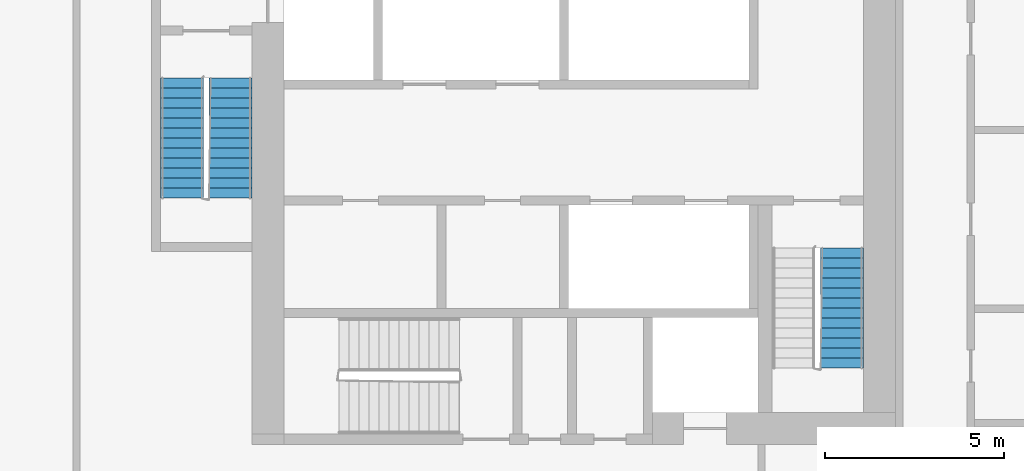
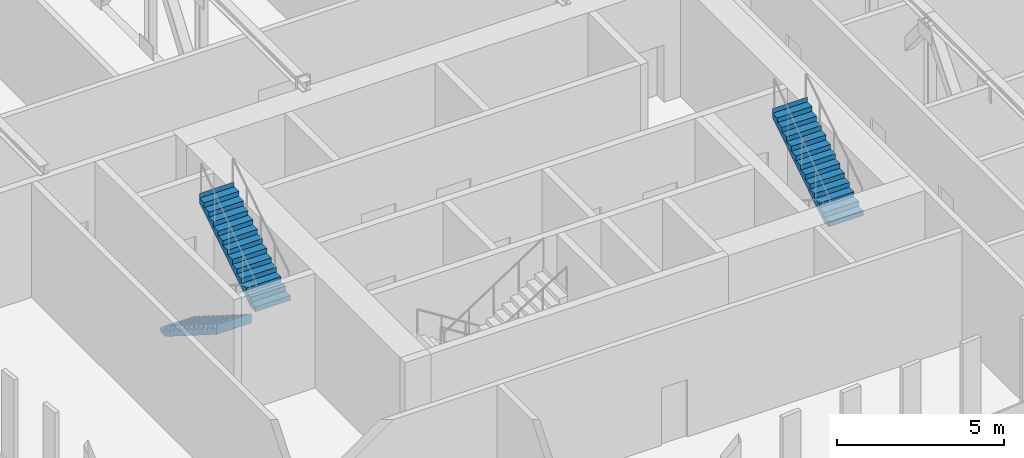
# One storey, part 22 of 26: 3 stair flights, 2 elements without a shape of their own.
"""IFC4 building model written with IfcOpenShell, lengths in metres."""

from ifc_helpers import new_model, si_unit, direction, frame, origin, place, context, subcontext, project, spatial, faceted_brep, material, type_object, element, aggregate, save


model = new_model("IFC4")

# Units and contexts
model_context = context("Model", 3, precision=1e-05, world=origin(), true_north=direction((0.0, 1.0)))
body_context = subcontext(model_context, "Body", "Model", "MODEL_VIEW")
ifc_project = project(units=[si_unit("LENGTHUNIT", "METRE"), si_unit("AREAUNIT", "SQUARE_METRE"), si_unit("VOLUMEUNIT", "CUBIC_METRE"), si_unit("PLANEANGLEUNIT", "RADIAN"), si_unit("MASSUNIT", "GRAM", prefix="KILO")], contexts=[model_context])

# Site, building, storey
site_placement = place(None, origin())
site = spatial("IfcSite", under=ifc_project, at=site_placement, CompositionType="ELEMENT")
building_placement = place(site_placement, origin())
building = spatial("IfcBuilding", under=site, at=building_placement, Name="Kajstack Hotel Tower", CompositionType="ELEMENT")
storey_placement = place(building_placement, frame((0.0, 0.0, 206.5)))
storey = spatial("IfcBuildingStorey", under=building, at=storey_placement, Name="L50", CompositionType="ELEMENT", Elevation=206.5)

# Stair, stair flights
ifc_material = material(Name="Concrete C40/50", Category="concrete")
stair_type = type_object("IfcStairType", Name="Exit stair 1200", PredefinedType="HALF_TURN_STAIR", material=ifc_material)
stair_1_placement = place(storey_placement, origin())
stair_1 = element("IfcStair", 1, at=stair_1_placement, inside=storey, type_object=stair_type, Name="L50 stair W1", PredefinedType="HALF_TURN_STAIR")
stair_flight_type = type_object("IfcStairFlightType", Name="Exit stair flight 1200", PredefinedType="STRAIGHT", material=ifc_material)
stair_flight_1_placement = place(storey_placement, frame((-33.449951171875, -5.25, 0.0), z_axis=(0.0, 0.0, 1.0), x_axis=(0.0, -1.0, 0.0)))
stair_flight_1 = element("IfcStairFlight", 2, at=stair_flight_1_placement, type_object=stair_flight_type, Name="W1 flight 1", NumberOfRisers=13, NumberOfTreads=12, PredefinedType="STRAIGHT", RiserHeight=0.176923077, TreadLength=0.28, context=body_context, shape_type="Brep", body=[
    faceted_brep([(0.281005859375, -0.60009765625, 0.0), (3.360595703125, -0.60009765625, 1.94580078125), (3.360595703125, -0.60009765625, 2.300048828125), (3.360107421875, -0.60009765625, 2.300048828125), (3.360107421875, -0.60009765625, 2.123046875), (3.080078125, -0.60009765625, 2.123046875), (3.080078125, -0.60009765625, 1.946044921875), (2.800048828125, -0.60009765625, 1.946044921875), (2.800048828125, -0.60009765625, 1.769287109375), (2.52001953125, -0.60009765625, 1.769287109375), (2.52001953125, -0.60009765625, 1.59228515625), (2.239990234375, -0.60009765625, 1.59228515625), (2.239990234375, -0.60009765625, 1.415283203125), (1.9599609375, -0.60009765625, 1.415283203125), (1.9599609375, -0.60009765625, 1.238525390625), (1.679931640625, -0.60009765625, 1.238525390625), (1.679931640625, -0.60009765625, 1.0615234375), (1.39990234375, -0.60009765625, 1.0615234375), (1.39990234375, -0.60009765625, 0.884521484375), (1.1201171875, -0.60009765625, 0.884521484375), (1.1201171875, -0.60009765625, 0.707763671875), (0.840087890625, -0.60009765625, 0.707763671875), (0.840087890625, -0.60009765625, 0.53076171875), (0.56005859375, -0.60009765625, 0.53076171875), (0.56005859375, -0.60009765625, 0.353759765625), (0.280029296875, -0.60009765625, 0.353759765625), (0.280029296875, -0.60009765625, 0.177001953125), (-0.00048828125, -0.60009765625, 0.177001953125), (-0.00048828125, -0.60009765625, 0.0), (-0.00048828125, 0.60009765625, 0.0), (-0.00048828125, 0.60009765625, 0.177001953125), (0.280029296875, 0.60009765625, 0.177001953125), (0.280029296875, 0.60009765625, 0.353759765625), (0.56005859375, 0.60009765625, 0.353759765625), (0.56005859375, 0.60009765625, 0.53076171875), (0.840087890625, 0.60009765625, 0.53076171875), (0.840087890625, 0.60009765625, 0.707763671875), (1.1201171875, 0.60009765625, 0.707763671875), (1.1201171875, 0.60009765625, 0.884521484375), (1.39990234375, 0.60009765625, 0.884521484375), (1.39990234375, 0.60009765625, 1.0615234375), (1.679931640625, 0.60009765625, 1.0615234375), (1.679931640625, 0.60009765625, 1.238525390625), (1.9599609375, 0.60009765625, 1.238525390625), (1.9599609375, 0.60009765625, 1.415283203125), (2.239990234375, 0.60009765625, 1.415283203125), (2.239990234375, 0.60009765625, 1.59228515625), (2.52001953125, 0.60009765625, 1.59228515625), (2.52001953125, 0.60009765625, 1.769287109375), (2.800048828125, 0.60009765625, 1.769287109375), (2.800048828125, 0.60009765625, 1.946044921875), (3.080078125, 0.60009765625, 1.946044921875), (3.080078125, 0.60009765625, 2.123046875), (3.360107421875, 0.60009765625, 2.123046875), (3.360107421875, 0.60009765625, 2.300048828125), (3.360595703125, 0.60009765625, 2.300048828125), (3.360595703125, 0.60009765625, 1.94580078125), (0.281005859375, 0.60009765625, 0.0), (-0.00048828125, -0.300048828125, 0.177001953125), (-0.00048828125, 0.0, 0.177001953125), (-0.00048828125, 0.300048828125, 0.177001953125), (-0.00048828125, 0.300048828125, 0.0), (-0.00048828125, 0.0, 0.0), (-0.00048828125, -0.300048828125, 0.0), (0.280029296875, -0.300048828125, 0.177001953125), (0.280029296875, 0.0, 0.177001953125), (0.280029296875, 0.300048828125, 0.177001953125), (0.280029296875, -0.300048828125, 0.353759765625), (0.280029296875, 0.0, 0.353759765625), (0.280029296875, 0.300048828125, 0.353759765625), (0.56005859375, -0.300048828125, 0.353759765625), (0.56005859375, 0.0, 0.353759765625), (0.56005859375, 0.300048828125, 0.353759765625), (0.56005859375, -0.300048828125, 0.53076171875), (0.56005859375, 0.0, 0.53076171875), (0.56005859375, 0.300048828125, 0.53076171875), (0.840087890625, -0.300048828125, 0.53076171875), (0.840087890625, 0.0, 0.53076171875), (0.840087890625, 0.300048828125, 0.53076171875), (0.840087890625, -0.300048828125, 0.707763671875), (0.840087890625, 0.0, 0.707763671875), (0.840087890625, 0.300048828125, 0.707763671875), (1.1201171875, -0.300048828125, 0.707763671875), (1.1201171875, 0.0, 0.707763671875), (1.1201171875, 0.300048828125, 0.707763671875), (1.1201171875, -0.300048828125, 0.884521484375), (1.1201171875, 0.0, 0.884521484375), (1.1201171875, 0.300048828125, 0.884521484375), (1.39990234375, -0.300048828125, 0.884521484375), (1.39990234375, 0.0, 0.884521484375), (1.39990234375, 0.300048828125, 0.884521484375), (1.39990234375, -0.300048828125, 1.0615234375), (1.39990234375, 0.0, 1.0615234375), (1.39990234375, 0.300048828125, 1.0615234375), (1.679931640625, -0.300048828125, 1.0615234375), (1.679931640625, 0.0, 1.0615234375), (1.679931640625, 0.300048828125, 1.0615234375), (1.679931640625, -0.300048828125, 1.238525390625), (1.679931640625, 0.0, 1.238525390625), (1.679931640625, 0.300048828125, 1.238525390625), (1.9599609375, -0.300048828125, 1.238525390625), (1.9599609375, 0.0, 1.238525390625), (1.9599609375, 0.300048828125, 1.238525390625), (1.9599609375, -0.300048828125, 1.415283203125), (1.9599609375, 0.0, 1.415283203125), (1.9599609375, 0.300048828125, 1.415283203125), (2.239990234375, -0.300048828125, 1.415283203125), (2.239990234375, 0.0, 1.415283203125), (2.239990234375, 0.300048828125, 1.415283203125), (2.239990234375, -0.300048828125, 1.59228515625), (2.239990234375, 0.0, 1.59228515625), (2.239990234375, 0.300048828125, 1.59228515625), (2.52001953125, -0.300048828125, 1.59228515625), (2.52001953125, 0.0, 1.59228515625), (2.52001953125, 0.300048828125, 1.59228515625), (2.52001953125, -0.300048828125, 1.769287109375), (2.52001953125, 0.0, 1.769287109375), (2.52001953125, 0.300048828125, 1.769287109375), (2.800048828125, -0.300048828125, 1.769287109375), (2.800048828125, 0.0, 1.769287109375), (2.800048828125, 0.300048828125, 1.769287109375), (2.800048828125, -0.300048828125, 1.946044921875), (2.800048828125, 0.0, 1.946044921875), (2.800048828125, 0.300048828125, 1.946044921875), (3.080078125, -0.300048828125, 1.946044921875), (3.080078125, 0.0, 1.946044921875), (3.080078125, 0.300048828125, 1.946044921875), (3.080078125, -0.300048828125, 2.123046875), (3.080078125, 0.0, 2.123046875), (3.080078125, 0.300048828125, 2.123046875), (3.360107421875, -0.300048828125, 2.123046875), (3.360107421875, 0.0, 2.123046875), (3.360107421875, 0.300048828125, 2.123046875), (3.360107421875, -0.300048828125, 2.300048828125), (3.360107421875, 0.0, 2.300048828125), (3.360107421875, 0.300048828125, 2.300048828125), (3.360595703125, -0.300048828125, 2.300048828125), (3.360595703125, 0.0, 2.300048828125), (3.360595703125, 0.300048828125, 2.300048828125), (3.360595703125, -0.300048828125, 1.94580078125), (3.360595703125, 0.0, 1.94580078125), (3.360595703125, 0.300048828125, 1.94580078125), (0.281005859375, -0.300048828125, 0.0), (0.281005859375, 0.0, 0.0), (0.281005859375, 0.300048828125, 0.0)], [[[0, 1, 2, 3, 4, 5, 6, 7, 8, 9, 10, 11, 12, 13, 14, 15, 16, 17, 18, 19, 20, 21, 22, 23, 24, 25, 26, 27, 28]], [[29, 30, 31, 32, 33, 34, 35, 36, 37, 38, 39, 40, 41, 42, 43, 44, 45, 46, 47, 48, 49, 50, 51, 52, 53, 54, 55, 56, 57]], [[27, 58, 59, 60, 30, 29, 61, 62, 63, 28]], [[26, 64, 65, 66, 31, 30, 60, 59, 58, 27]], [[25, 67, 68, 69, 32, 31, 66, 65, 64, 26]], [[24, 70, 71, 72, 33, 32, 69, 68, 67, 25]], [[23, 73, 74, 75, 34, 33, 72, 71, 70, 24]], [[22, 76, 77, 78, 35, 34, 75, 74, 73, 23]], [[21, 79, 80, 81, 36, 35, 78, 77, 76, 22]], [[20, 82, 83, 84, 37, 36, 81, 80, 79, 21]], [[19, 85, 86, 87, 38, 37, 84, 83, 82, 20]], [[18, 88, 89, 90, 39, 38, 87, 86, 85, 19]], [[17, 91, 92, 93, 40, 39, 90, 89, 88, 18]], [[16, 94, 95, 96, 41, 40, 93, 92, 91, 17]], [[15, 97, 98, 99, 42, 41, 96, 95, 94, 16]], [[14, 100, 101, 102, 43, 42, 99, 98, 97, 15]], [[13, 103, 104, 105, 44, 43, 102, 101, 100, 14]], [[12, 106, 107, 108, 45, 44, 105, 104, 103, 13]], [[11, 109, 110, 111, 46, 45, 108, 107, 106, 12]], [[10, 112, 113, 114, 47, 46, 111, 110, 109, 11]], [[9, 115, 116, 117, 48, 47, 114, 113, 112, 10]], [[8, 118, 119, 120, 49, 48, 117, 116, 115, 9]], [[7, 121, 122, 123, 50, 49, 120, 119, 118, 8]], [[6, 124, 125, 126, 51, 50, 123, 122, 121, 7]], [[5, 127, 128, 129, 52, 51, 126, 125, 124, 6]], [[4, 130, 131, 132, 53, 52, 129, 128, 127, 5]], [[3, 133, 134, 135, 54, 53, 132, 131, 130, 4]], [[2, 136, 137, 138, 55, 54, 135, 134, 133, 3]], [[1, 139, 140, 141, 56, 55, 138, 137, 136, 2]], [[0, 142, 143, 144, 57, 56, 141, 140, 139, 1]], [[28, 63, 62, 61, 29, 57, 144, 143, 142, 0]]]),
])
stair_flight_2_placement = place(storey_placement, frame((-32.10009765625, -8.610107421875, 2.300048828125), z_axis=(0.0, 0.0, 1.0), x_axis=(0.0, 1.0, 0.0)))
stair_flight_2 = element("IfcStairFlight", 3, at=stair_flight_2_placement, type_object=stair_flight_type, Name="W1 flight 2", NumberOfRisers=13, NumberOfTreads=12, PredefinedType="STRAIGHT", RiserHeight=0.176923077, TreadLength=0.28, context=body_context, shape_type="Brep", body=[
    faceted_brep([(0.281005859375, -0.60009765625, 0.0), (3.360595703125, -0.60009765625, 1.94580078125), (3.360595703125, -0.60009765625, 2.300048828125), (3.360107421875, -0.60009765625, 2.300048828125), (3.360107421875, -0.60009765625, 2.123046875), (3.080078125, -0.60009765625, 2.123046875), (3.080078125, -0.60009765625, 1.946044921875), (2.800048828125, -0.60009765625, 1.946044921875), (2.800048828125, -0.60009765625, 1.769287109375), (2.52001953125, -0.60009765625, 1.769287109375), (2.52001953125, -0.60009765625, 1.59228515625), (2.239990234375, -0.60009765625, 1.59228515625), (2.239990234375, -0.60009765625, 1.415283203125), (1.9599609375, -0.60009765625, 1.415283203125), (1.9599609375, -0.60009765625, 1.238525390625), (1.679931640625, -0.60009765625, 1.238525390625), (1.679931640625, -0.60009765625, 1.0615234375), (1.39990234375, -0.60009765625, 1.0615234375), (1.39990234375, -0.60009765625, 0.884521484375), (1.1201171875, -0.60009765625, 0.884521484375), (1.1201171875, -0.60009765625, 0.707763671875), (0.840087890625, -0.60009765625, 0.707763671875), (0.840087890625, -0.60009765625, 0.53076171875), (0.56005859375, -0.60009765625, 0.53076171875), (0.56005859375, -0.60009765625, 0.353759765625), (0.280029296875, -0.60009765625, 0.353759765625), (0.280029296875, -0.60009765625, 0.177001953125), (-0.00048828125, -0.60009765625, 0.177001953125), (-0.00048828125, -0.60009765625, 0.0), (-0.00048828125, 0.60009765625, 0.0), (-0.00048828125, 0.60009765625, 0.177001953125), (0.280029296875, 0.60009765625, 0.177001953125), (0.280029296875, 0.60009765625, 0.353759765625), (0.56005859375, 0.60009765625, 0.353759765625), (0.56005859375, 0.60009765625, 0.53076171875), (0.840087890625, 0.60009765625, 0.53076171875), (0.840087890625, 0.60009765625, 0.707763671875), (1.1201171875, 0.60009765625, 0.707763671875), (1.1201171875, 0.60009765625, 0.884521484375), (1.39990234375, 0.60009765625, 0.884521484375), (1.39990234375, 0.60009765625, 1.0615234375), (1.679931640625, 0.60009765625, 1.0615234375), (1.679931640625, 0.60009765625, 1.238525390625), (1.9599609375, 0.60009765625, 1.238525390625), (1.9599609375, 0.60009765625, 1.415283203125), (2.239990234375, 0.60009765625, 1.415283203125), (2.239990234375, 0.60009765625, 1.59228515625), (2.52001953125, 0.60009765625, 1.59228515625), (2.52001953125, 0.60009765625, 1.769287109375), (2.800048828125, 0.60009765625, 1.769287109375), (2.800048828125, 0.60009765625, 1.946044921875), (3.080078125, 0.60009765625, 1.946044921875), (3.080078125, 0.60009765625, 2.123046875), (3.360107421875, 0.60009765625, 2.123046875), (3.360107421875, 0.60009765625, 2.300048828125), (3.360595703125, 0.60009765625, 2.300048828125), (3.360595703125, 0.60009765625, 1.94580078125), (0.281005859375, 0.60009765625, 0.0), (-0.00048828125, -0.300048828125, 0.177001953125), (-0.00048828125, 0.0, 0.177001953125), (-0.00048828125, 0.300048828125, 0.177001953125), (-0.00048828125, 0.300048828125, 0.0), (-0.00048828125, 0.0, 0.0), (-0.00048828125, -0.300048828125, 0.0), (0.280029296875, -0.300048828125, 0.177001953125), (0.280029296875, 0.0, 0.177001953125), (0.280029296875, 0.300048828125, 0.177001953125), (0.280029296875, -0.300048828125, 0.353759765625), (0.280029296875, 0.0, 0.353759765625), (0.280029296875, 0.300048828125, 0.353759765625), (0.56005859375, -0.300048828125, 0.353759765625), (0.56005859375, 0.0, 0.353759765625), (0.56005859375, 0.300048828125, 0.353759765625), (0.56005859375, -0.300048828125, 0.53076171875), (0.56005859375, 0.0, 0.53076171875), (0.56005859375, 0.300048828125, 0.53076171875), (0.840087890625, -0.300048828125, 0.53076171875), (0.840087890625, 0.0, 0.53076171875), (0.840087890625, 0.300048828125, 0.53076171875), (0.840087890625, -0.300048828125, 0.707763671875), (0.840087890625, 0.0, 0.707763671875), (0.840087890625, 0.300048828125, 0.707763671875), (1.1201171875, -0.300048828125, 0.707763671875), (1.1201171875, 0.0, 0.707763671875), (1.1201171875, 0.300048828125, 0.707763671875), (1.1201171875, -0.300048828125, 0.884521484375), (1.1201171875, 0.0, 0.884521484375), (1.1201171875, 0.300048828125, 0.884521484375), (1.39990234375, -0.300048828125, 0.884521484375), (1.39990234375, 0.0, 0.884521484375), (1.39990234375, 0.300048828125, 0.884521484375), (1.39990234375, -0.300048828125, 1.0615234375), (1.39990234375, 0.0, 1.0615234375), (1.39990234375, 0.300048828125, 1.0615234375), (1.679931640625, -0.300048828125, 1.0615234375), (1.679931640625, 0.0, 1.0615234375), (1.679931640625, 0.300048828125, 1.0615234375), (1.679931640625, -0.300048828125, 1.238525390625), (1.679931640625, 0.0, 1.238525390625), (1.679931640625, 0.300048828125, 1.238525390625), (1.9599609375, -0.300048828125, 1.238525390625), (1.9599609375, 0.0, 1.238525390625), (1.9599609375, 0.300048828125, 1.238525390625), (1.9599609375, -0.300048828125, 1.415283203125), (1.9599609375, 0.0, 1.415283203125), (1.9599609375, 0.300048828125, 1.415283203125), (2.239990234375, -0.300048828125, 1.415283203125), (2.239990234375, 0.0, 1.415283203125), (2.239990234375, 0.300048828125, 1.415283203125), (2.239990234375, -0.300048828125, 1.59228515625), (2.239990234375, 0.0, 1.59228515625), (2.239990234375, 0.300048828125, 1.59228515625), (2.52001953125, -0.300048828125, 1.59228515625), (2.52001953125, 0.0, 1.59228515625), (2.52001953125, 0.300048828125, 1.59228515625), (2.52001953125, -0.300048828125, 1.769287109375), (2.52001953125, 0.0, 1.769287109375), (2.52001953125, 0.300048828125, 1.769287109375), (2.800048828125, -0.300048828125, 1.769287109375), (2.800048828125, 0.0, 1.769287109375), (2.800048828125, 0.300048828125, 1.769287109375), (2.800048828125, -0.300048828125, 1.946044921875), (2.800048828125, 0.0, 1.946044921875), (2.800048828125, 0.300048828125, 1.946044921875), (3.080078125, -0.300048828125, 1.946044921875), (3.080078125, 0.0, 1.946044921875), (3.080078125, 0.300048828125, 1.946044921875), (3.080078125, -0.300048828125, 2.123046875), (3.080078125, 0.0, 2.123046875), (3.080078125, 0.300048828125, 2.123046875), (3.360107421875, -0.300048828125, 2.123046875), (3.360107421875, 0.0, 2.123046875), (3.360107421875, 0.300048828125, 2.123046875), (3.360107421875, -0.300048828125, 2.300048828125), (3.360107421875, 0.0, 2.300048828125), (3.360107421875, 0.300048828125, 2.300048828125), (3.360595703125, -0.300048828125, 2.300048828125), (3.360595703125, 0.0, 2.300048828125), (3.360595703125, 0.300048828125, 2.300048828125), (3.360595703125, -0.300048828125, 1.94580078125), (3.360595703125, 0.0, 1.94580078125), (3.360595703125, 0.300048828125, 1.94580078125), (0.281005859375, -0.300048828125, 0.0), (0.281005859375, 0.0, 0.0), (0.281005859375, 0.300048828125, 0.0)], [[[0, 1, 2, 3, 4, 5, 6, 7, 8, 9, 10, 11, 12, 13, 14, 15, 16, 17, 18, 19, 20, 21, 22, 23, 24, 25, 26, 27, 28]], [[29, 30, 31, 32, 33, 34, 35, 36, 37, 38, 39, 40, 41, 42, 43, 44, 45, 46, 47, 48, 49, 50, 51, 52, 53, 54, 55, 56, 57]], [[27, 58, 59, 60, 30, 29, 61, 62, 63, 28]], [[26, 64, 65, 66, 31, 30, 60, 59, 58, 27]], [[25, 67, 68, 69, 32, 31, 66, 65, 64, 26]], [[24, 70, 71, 72, 33, 32, 69, 68, 67, 25]], [[23, 73, 74, 75, 34, 33, 72, 71, 70, 24]], [[22, 76, 77, 78, 35, 34, 75, 74, 73, 23]], [[21, 79, 80, 81, 36, 35, 78, 77, 76, 22]], [[20, 82, 83, 84, 37, 36, 81, 80, 79, 21]], [[19, 85, 86, 87, 38, 37, 84, 83, 82, 20]], [[18, 88, 89, 90, 39, 38, 87, 86, 85, 19]], [[17, 91, 92, 93, 40, 39, 90, 89, 88, 18]], [[16, 94, 95, 96, 41, 40, 93, 92, 91, 17]], [[15, 97, 98, 99, 42, 41, 96, 95, 94, 16]], [[14, 100, 101, 102, 43, 42, 99, 98, 97, 15]], [[13, 103, 104, 105, 44, 43, 102, 101, 100, 14]], [[12, 106, 107, 108, 45, 44, 105, 104, 103, 13]], [[11, 109, 110, 111, 46, 45, 108, 107, 106, 12]], [[10, 112, 113, 114, 47, 46, 111, 110, 109, 11]], [[9, 115, 116, 117, 48, 47, 114, 113, 112, 10]], [[8, 118, 119, 120, 49, 48, 117, 116, 115, 9]], [[7, 121, 122, 123, 50, 49, 120, 119, 118, 8]], [[6, 124, 125, 126, 51, 50, 123, 122, 121, 7]], [[5, 127, 128, 129, 52, 51, 126, 125, 124, 6]], [[4, 130, 131, 132, 53, 52, 129, 128, 127, 5]], [[3, 133, 134, 135, 54, 53, 132, 131, 130, 4]], [[2, 136, 137, 138, 55, 54, 135, 134, 133, 3]], [[1, 139, 140, 141, 56, 55, 138, 137, 136, 2]], [[0, 142, 143, 144, 57, 56, 141, 140, 139, 1]], [[28, 63, 62, 61, 29, 57, 144, 143, 142, 0]]]),
])
aggregate(stair_1, [stair_flight_1, stair_flight_2])

# Stair, stair flight
stair_2_placement = place(storey_placement, origin())
stair_2 = element("IfcStair", 4, at=stair_2_placement, inside=storey, type_object=stair_type, Name="L50 stair W2", PredefinedType="HALF_TURN_STAIR")
stair_flight_3_placement = place(storey_placement, frame((-15.0, -13.360107421875, 2.300048828125), z_axis=(0.0, 0.0, 1.0), x_axis=(0.0, 1.0, 0.0)))
stair_flight_3 = element("IfcStairFlight", 5, at=stair_flight_3_placement, type_object=stair_flight_type, Name="W2 flight 2", NumberOfRisers=13, NumberOfTreads=12, PredefinedType="STRAIGHT", RiserHeight=0.176923077, TreadLength=0.28, context=body_context, shape_type="Brep", body=[
    faceted_brep([(0.281005859375, -0.60009765625, 0.0), (3.360595703125, -0.60009765625, 1.94580078125), (3.360595703125, -0.60009765625, 2.300048828125), (3.360107421875, -0.60009765625, 2.300048828125), (3.360107421875, -0.60009765625, 2.123046875), (3.080078125, -0.60009765625, 2.123046875), (3.080078125, -0.60009765625, 1.946044921875), (2.800048828125, -0.60009765625, 1.946044921875), (2.800048828125, -0.60009765625, 1.769287109375), (2.52001953125, -0.60009765625, 1.769287109375), (2.52001953125, -0.60009765625, 1.59228515625), (2.239990234375, -0.60009765625, 1.59228515625), (2.239990234375, -0.60009765625, 1.415283203125), (1.9599609375, -0.60009765625, 1.415283203125), (1.9599609375, -0.60009765625, 1.238525390625), (1.679931640625, -0.60009765625, 1.238525390625), (1.679931640625, -0.60009765625, 1.0615234375), (1.39990234375, -0.60009765625, 1.0615234375), (1.39990234375, -0.60009765625, 0.884521484375), (1.1201171875, -0.60009765625, 0.884521484375), (1.1201171875, -0.60009765625, 0.707763671875), (0.840087890625, -0.60009765625, 0.707763671875), (0.840087890625, -0.60009765625, 0.53076171875), (0.56005859375, -0.60009765625, 0.53076171875), (0.56005859375, -0.60009765625, 0.353759765625), (0.280029296875, -0.60009765625, 0.353759765625), (0.280029296875, -0.60009765625, 0.177001953125), (-0.00048828125, -0.60009765625, 0.177001953125), (-0.00048828125, -0.60009765625, 0.0), (-0.00048828125, 0.60009765625, 0.0), (-0.00048828125, 0.60009765625, 0.177001953125), (0.280029296875, 0.60009765625, 0.177001953125), (0.280029296875, 0.60009765625, 0.353759765625), (0.56005859375, 0.60009765625, 0.353759765625), (0.56005859375, 0.60009765625, 0.53076171875), (0.840087890625, 0.60009765625, 0.53076171875), (0.840087890625, 0.60009765625, 0.707763671875), (1.1201171875, 0.60009765625, 0.707763671875), (1.1201171875, 0.60009765625, 0.884521484375), (1.39990234375, 0.60009765625, 0.884521484375), (1.39990234375, 0.60009765625, 1.0615234375), (1.679931640625, 0.60009765625, 1.0615234375), (1.679931640625, 0.60009765625, 1.238525390625), (1.9599609375, 0.60009765625, 1.238525390625), (1.9599609375, 0.60009765625, 1.415283203125), (2.239990234375, 0.60009765625, 1.415283203125), (2.239990234375, 0.60009765625, 1.59228515625), (2.52001953125, 0.60009765625, 1.59228515625), (2.52001953125, 0.60009765625, 1.769287109375), (2.800048828125, 0.60009765625, 1.769287109375), (2.800048828125, 0.60009765625, 1.946044921875), (3.080078125, 0.60009765625, 1.946044921875), (3.080078125, 0.60009765625, 2.123046875), (3.360107421875, 0.60009765625, 2.123046875), (3.360107421875, 0.60009765625, 2.300048828125), (3.360595703125, 0.60009765625, 2.300048828125), (3.360595703125, 0.60009765625, 1.94580078125), (0.281005859375, 0.60009765625, 0.0), (-0.00048828125, -0.300048828125, 0.177001953125), (-0.00048828125, 0.0, 0.177001953125), (-0.00048828125, 0.300048828125, 0.177001953125), (-0.00048828125, 0.300048828125, 0.0), (-0.00048828125, 0.0, 0.0), (-0.00048828125, -0.300048828125, 0.0), (0.280029296875, -0.300048828125, 0.177001953125), (0.280029296875, 0.0, 0.177001953125), (0.280029296875, 0.300048828125, 0.177001953125), (0.280029296875, -0.300048828125, 0.353759765625), (0.280029296875, 0.0, 0.353759765625), (0.280029296875, 0.300048828125, 0.353759765625), (0.56005859375, -0.300048828125, 0.353759765625), (0.56005859375, 0.0, 0.353759765625), (0.56005859375, 0.300048828125, 0.353759765625), (0.56005859375, -0.300048828125, 0.53076171875), (0.56005859375, 0.0, 0.53076171875), (0.56005859375, 0.300048828125, 0.53076171875), (0.840087890625, -0.300048828125, 0.53076171875), (0.840087890625, 0.0, 0.53076171875), (0.840087890625, 0.300048828125, 0.53076171875), (0.840087890625, -0.300048828125, 0.707763671875), (0.840087890625, 0.0, 0.707763671875), (0.840087890625, 0.300048828125, 0.707763671875), (1.1201171875, -0.300048828125, 0.707763671875), (1.1201171875, 0.0, 0.707763671875), (1.1201171875, 0.300048828125, 0.707763671875), (1.1201171875, -0.300048828125, 0.884521484375), (1.1201171875, 0.0, 0.884521484375), (1.1201171875, 0.300048828125, 0.884521484375), (1.39990234375, -0.300048828125, 0.884521484375), (1.39990234375, 0.0, 0.884521484375), (1.39990234375, 0.300048828125, 0.884521484375), (1.39990234375, -0.300048828125, 1.0615234375), (1.39990234375, 0.0, 1.0615234375), (1.39990234375, 0.300048828125, 1.0615234375), (1.679931640625, -0.300048828125, 1.0615234375), (1.679931640625, 0.0, 1.0615234375), (1.679931640625, 0.300048828125, 1.0615234375), (1.679931640625, -0.300048828125, 1.238525390625), (1.679931640625, 0.0, 1.238525390625), (1.679931640625, 0.300048828125, 1.238525390625), (1.9599609375, -0.300048828125, 1.238525390625), (1.9599609375, 0.0, 1.238525390625), (1.9599609375, 0.300048828125, 1.238525390625), (1.9599609375, -0.300048828125, 1.415283203125), (1.9599609375, 0.0, 1.415283203125), (1.9599609375, 0.300048828125, 1.415283203125), (2.239990234375, -0.300048828125, 1.415283203125), (2.239990234375, 0.0, 1.415283203125), (2.239990234375, 0.300048828125, 1.415283203125), (2.239990234375, -0.300048828125, 1.59228515625), (2.239990234375, 0.0, 1.59228515625), (2.239990234375, 0.300048828125, 1.59228515625), (2.52001953125, -0.300048828125, 1.59228515625), (2.52001953125, 0.0, 1.59228515625), (2.52001953125, 0.300048828125, 1.59228515625), (2.52001953125, -0.300048828125, 1.769287109375), (2.52001953125, 0.0, 1.769287109375), (2.52001953125, 0.300048828125, 1.769287109375), (2.800048828125, -0.300048828125, 1.769287109375), (2.800048828125, 0.0, 1.769287109375), (2.800048828125, 0.300048828125, 1.769287109375), (2.800048828125, -0.300048828125, 1.946044921875), (2.800048828125, 0.0, 1.946044921875), (2.800048828125, 0.300048828125, 1.946044921875), (3.080078125, -0.300048828125, 1.946044921875), (3.080078125, 0.0, 1.946044921875), (3.080078125, 0.300048828125, 1.946044921875), (3.080078125, -0.300048828125, 2.123046875), (3.080078125, 0.0, 2.123046875), (3.080078125, 0.300048828125, 2.123046875), (3.360107421875, -0.300048828125, 2.123046875), (3.360107421875, 0.0, 2.123046875), (3.360107421875, 0.300048828125, 2.123046875), (3.360107421875, -0.300048828125, 2.300048828125), (3.360107421875, 0.0, 2.300048828125), (3.360107421875, 0.300048828125, 2.300048828125), (3.360595703125, -0.300048828125, 2.300048828125), (3.360595703125, 0.0, 2.300048828125), (3.360595703125, 0.300048828125, 2.300048828125), (3.360595703125, -0.300048828125, 1.94580078125), (3.360595703125, 0.0, 1.94580078125), (3.360595703125, 0.300048828125, 1.94580078125), (0.281005859375, -0.300048828125, 0.0), (0.281005859375, 0.0, 0.0), (0.281005859375, 0.300048828125, 0.0)], [[[0, 1, 2, 3, 4, 5, 6, 7, 8, 9, 10, 11, 12, 13, 14, 15, 16, 17, 18, 19, 20, 21, 22, 23, 24, 25, 26, 27, 28]], [[29, 30, 31, 32, 33, 34, 35, 36, 37, 38, 39, 40, 41, 42, 43, 44, 45, 46, 47, 48, 49, 50, 51, 52, 53, 54, 55, 56, 57]], [[27, 58, 59, 60, 30, 29, 61, 62, 63, 28]], [[26, 64, 65, 66, 31, 30, 60, 59, 58, 27]], [[25, 67, 68, 69, 32, 31, 66, 65, 64, 26]], [[24, 70, 71, 72, 33, 32, 69, 68, 67, 25]], [[23, 73, 74, 75, 34, 33, 72, 71, 70, 24]], [[22, 76, 77, 78, 35, 34, 75, 74, 73, 23]], [[21, 79, 80, 81, 36, 35, 78, 77, 76, 22]], [[20, 82, 83, 84, 37, 36, 81, 80, 79, 21]], [[19, 85, 86, 87, 38, 37, 84, 83, 82, 20]], [[18, 88, 89, 90, 39, 38, 87, 86, 85, 19]], [[17, 91, 92, 93, 40, 39, 90, 89, 88, 18]], [[16, 94, 95, 96, 41, 40, 93, 92, 91, 17]], [[15, 97, 98, 99, 42, 41, 96, 95, 94, 16]], [[14, 100, 101, 102, 43, 42, 99, 98, 97, 15]], [[13, 103, 104, 105, 44, 43, 102, 101, 100, 14]], [[12, 106, 107, 108, 45, 44, 105, 104, 103, 13]], [[11, 109, 110, 111, 46, 45, 108, 107, 106, 12]], [[10, 112, 113, 114, 47, 46, 111, 110, 109, 11]], [[9, 115, 116, 117, 48, 47, 114, 113, 112, 10]], [[8, 118, 119, 120, 49, 48, 117, 116, 115, 9]], [[7, 121, 122, 123, 50, 49, 120, 119, 118, 8]], [[6, 124, 125, 126, 51, 50, 123, 122, 121, 7]], [[5, 127, 128, 129, 52, 51, 126, 125, 124, 6]], [[4, 130, 131, 132, 53, 52, 129, 128, 127, 5]], [[3, 133, 134, 135, 54, 53, 132, 131, 130, 4]], [[2, 136, 137, 138, 55, 54, 135, 134, 133, 3]], [[1, 139, 140, 141, 56, 55, 138, 137, 136, 2]], [[0, 142, 143, 144, 57, 56, 141, 140, 139, 1]], [[28, 63, 62, 61, 29, 57, 144, 143, 142, 0]]]),
])
aggregate(stair_2, [stair_flight_3])

save(model, "model.ifc")
